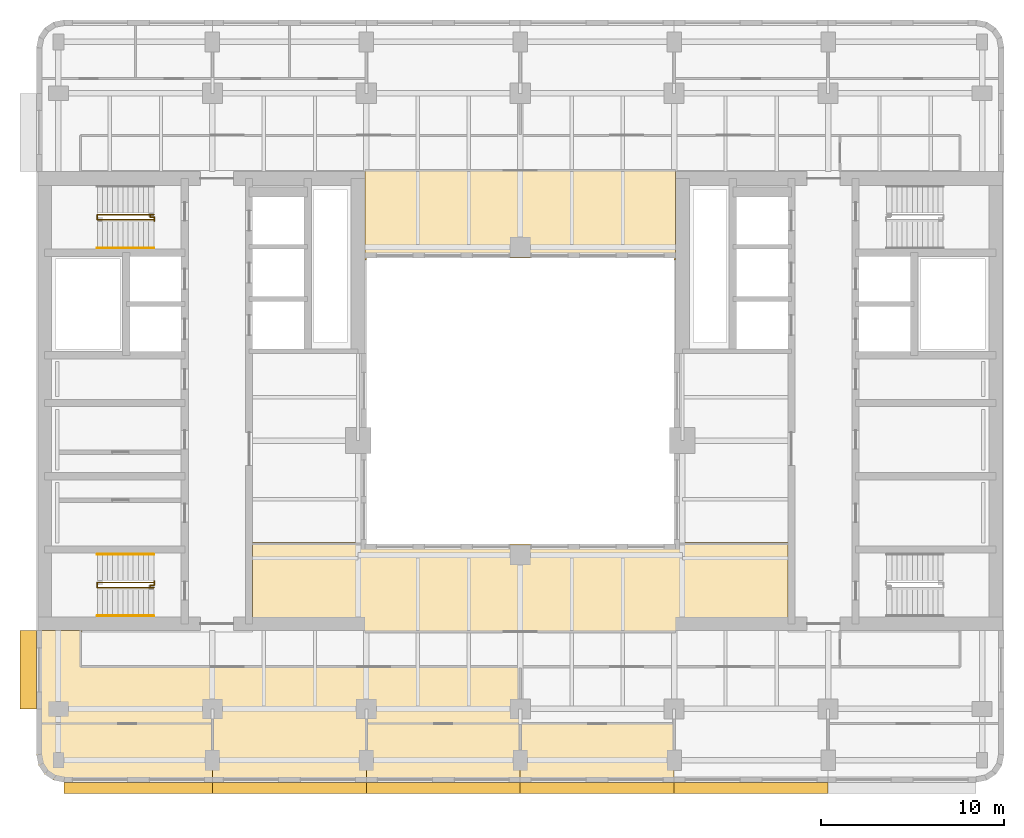
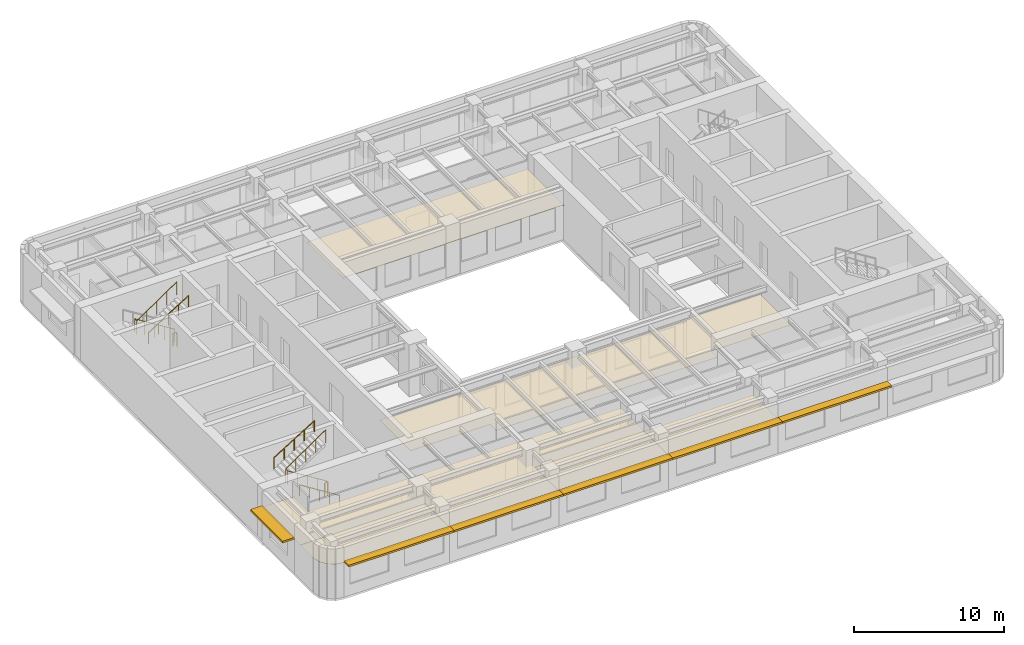
# One storey, part 9 of 11: 7 railings, 6 coverings, 6 shading devices.
"""IFC4 building model written with IfcOpenShell, lengths in metres."""

from ifc_helpers import new_model, si_unit, direction, frame, origin, origin_2d, place, context, subcontext, project, spatial, polyline, rectangle, circle, outline, extrude, material, layer, layer_set, type_object, element, save


model = new_model("IFC4")

# Units and contexts
model_context = context("Model", 3, precision=1e-05, world=origin(), true_north=direction((0.0, 1.0)))
body_context = subcontext(model_context, "Body", "Model", "MODEL_VIEW")
ifc_project = project(units=[si_unit("LENGTHUNIT", "METRE"), si_unit("AREAUNIT", "SQUARE_METRE"), si_unit("VOLUMEUNIT", "CUBIC_METRE"), si_unit("PLANEANGLEUNIT", "RADIAN"), si_unit("MASSUNIT", "GRAM", prefix="KILO")], contexts=[model_context])

# Site, building, storey
site_placement = place(None, origin())
site = spatial("IfcSite", under=ifc_project, at=site_placement, CompositionType="ELEMENT")
building_placement = place(site_placement, origin())
building = spatial("IfcBuilding", under=site, at=building_placement, Name="Claustro Exchange Tower", CompositionType="ELEMENT")
storey_placement = place(building_placement, frame((0.0, 0.0, 190.199951171875)))
storey = spatial("IfcBuildingStorey", under=building, at=storey_placement, Name="L43", CompositionType="ELEMENT", Elevation=190.199951171875)

# Coverings
ifc_material_1 = material(Name="Perforated metal ceiling tiles", Category="steel")
ifc_layer_1 = layer(ifc_material_1, 0.030029296875)
ifc_layer_set_1 = layer_set([ifc_layer_1], Name="Perforated metal ceiling tiles")
covering_type_1 = type_object("IfcCoveringType", Name="CL1 suspended metal ceiling", PredefinedType="CEILING", material=ifc_layer_set_1)
covering_1_placement = place(storey_placement, frame((0.0, 0.0, 2.800048828125)))
element("IfcCovering", 1, at=covering_1_placement, inside=storey, type_object=covering_type_1, Name="Ceiling CL1 L43-05", PredefinedType="CEILING", context=body_context, shape_type="SweptSolid", body=[
    extrude(outline(polyline([(1.199951171875, 10.699951171875), (1.199951171875, 12.60009765625), (1.294921875, 12.60009765625), (1.294921875, 12.675048828125), (-1.125, 12.675048828125), (-1.125, 12.695068359375), (-1.199951171875, 12.695068359375), (-1.199951171875, 7.60009765625), (8.39990234375, 7.60009765625), (8.39990234375, 4.39990234375), (16.800048828125, 4.39990234375), (16.800048828125, 7.60009765625), (25.199951171875, 7.60009765625), (25.199951171875, 10.699951171875), (1.199951171875, 10.699951171875)])), origin(), (0.0, 0.0, 1.0), 0.030029296875),
])
ifc_material_2 = material(Name="Gypsum board ceiling", Category="gypsum board")
ifc_layer_2 = layer(ifc_material_2, 0.02490234375)
ifc_layer_set_2 = layer_set([ifc_layer_2], Name="Gypsum board ceiling")
covering_type_2 = type_object("IfcCoveringType", Name="CL2 plasterboard ceiling", PredefinedType="CEILING", material=ifc_layer_set_2)
covering_2_placement = place(storey_placement, frame((0.0, 0.0, 2.800048828125)))
element("IfcCovering", 2, at=covering_2_placement, inside=storey, type_object=covering_type_2, Name="Ceiling CL2 L43-01", PredefinedType="CEILING", context=body_context, shape_type="SweptSolid", body=[
    extrude(outline(polyline([(-1.085693359375, 5.325927734375), (-0.7607421875, 4.83935546875), (-0.27392578125, 4.51416015625), (0.300048828125, 4.39990234375), (8.39990234375, 4.39990234375), (8.39990234375, 7.60009765625), (-1.199951171875, 7.60009765625), (-1.199951171875, 5.89990234375), (-1.085693359375, 5.325927734375)])), origin(), (0.0, 0.0, 1.0), 0.02490234375),
])
covering_3_placement = place(storey_placement, frame((0.0, 0.0, 2.800048828125)))
element("IfcCovering", 3, at=covering_3_placement, inside=storey, type_object=covering_type_2, Name="Ceiling CL2 L43-02", PredefinedType="CEILING", context=body_context, shape_type="SweptSolid", body=[
    extrude(outline(polyline([(16.800048828125, 4.39990234375), (25.199951171875, 4.39990234375), (25.199951171875, 7.60009765625), (16.800048828125, 7.60009765625), (16.800048828125, 4.39990234375)])), origin(), (0.0, 0.0, 1.0), 0.02490234375),
])
covering_4_placement = place(storey_placement, frame((0.0, 0.0, 2.800048828125)))
element("IfcCovering", 4, at=covering_4_placement, inside=storey, type_object=covering_type_2, Name="Ceiling CL2 L43-03", PredefinedType="CEILING", context=body_context, shape_type="SweptSolid", body=[
    extrude(outline(polyline([(25.199951171875, 4.39990234375), (33.60009765625, 4.39990234375), (33.60009765625, 7.60009765625), (25.199951171875, 7.60009765625), (25.199951171875, 4.39990234375)])), origin(), (0.0, 0.0, 1.0), 0.02490234375),
])
covering_5_placement = place(storey_placement, frame((0.0, 0.0, 2.800048828125)))
element("IfcCovering", 5, at=covering_5_placement, inside=storey, type_object=covering_type_2, Name="Ceiling CL2 L43-09", PredefinedType="CEILING", context=body_context, shape_type="SweptSolid", body=[
    extrude(outline(polyline([(33.60009765625, 17.39990234375), (16.800048828125, 17.39990234375), (16.800048828125, 17.4951171875), (10.60009765625, 17.4951171875), (10.60009765625, 13.405029296875), (16.705078125, 13.405029296875), (16.705078125, 12.60009765625), (33.695068359375, 12.60009765625), (33.695068359375, 13.405029296875), (39.800048828125, 13.405029296875), (39.800048828125, 17.4951171875), (33.60009765625, 17.4951171875), (33.60009765625, 17.39990234375)])), origin(), (0.0, 0.0, 1.0), 0.02490234375),
])
covering_6_placement = place(storey_placement, frame((0.0, 0.0, 2.800048828125)))
element("IfcCovering", 6, at=covering_6_placement, inside=storey, type_object=covering_type_2, Name="Ceiling CL2 L43-12", PredefinedType="CEILING", context=body_context, shape_type="SweptSolid", body=[
    extrude(outline(polyline([(16.72509765625, 37.72509765625), (16.72509765625, 32.905029296875), (16.800048828125, 32.905029296875), (16.800048828125, 33.0), (33.60009765625, 33.0), (33.60009765625, 32.905029296875), (33.675048828125, 32.905029296875), (33.675048828125, 37.72509765625), (33.695068359375, 37.72509765625), (33.695068359375, 37.800048828125), (16.705078125, 37.800048828125), (16.705078125, 37.72509765625), (16.72509765625, 37.72509765625)])), origin(), (0.0, 0.0, 1.0), 0.02490234375),
])

# Railings
ifc_material_3 = material(Name="Steel balustrade, painted", Category="steel")
railing_type_1 = type_object("IfcRailingType", Name="GR2 1100 steel stair guard", PredefinedType="GUARDRAIL", material=ifc_material_3)
railing_1_placement = place(storey_placement, frame((5.199951171875, 15.02490234375, 0.175048828125)))
element("IfcRailing", 7, at=railing_1_placement, inside=storey, type_object=railing_type_1, Name="Stair well guard GR2 stair STWA L43", PredefinedType="GUARDRAIL", context=body_context, shape_type="SweptSolid", body=[
    extrude(circle(Radius=0.02392578125, at=origin_2d()), frame((0.0, 0.0, 1.076171875), z_axis=(-0.847979421464, 0.0, 0.530029150871), x_axis=(0.0, -1.0, 0.0)), (0.0, 0.0, 1.0), 3.632080078125),
    extrude(circle(Radius=0.02392578125, at=origin_2d()), frame((-3.079833984375, 0.0, 3.0009765625), z_axis=(0.0, 1.0, 0.0), x_axis=(-1.0, 0.0, 0.0)), (0.0, 0.0, 1.0), 0.275146484375),
    extrude(circle(Radius=0.02392578125, at=origin_2d()), frame((-3.079833984375, 0.275146484375, 3.0009765625), z_axis=(0.826231499792, 0.0, 0.563330727682), x_axis=(0.0, 1.0, 0.0)), (0.0, 0.0, 1.0), 3.7275390625),
    extrude(circle(Radius=0.02099609375, at=origin_2d()), origin(), (0.0, 0.0, 1.0), 1.052001953125),
    extrude(circle(Radius=0.02099609375, at=origin_2d()), frame((-0.77001953125, 0.0, 0.481201171875)), (0.0, 0.0, 1.0), 1.052001953125),
    extrude(circle(Radius=0.02099609375, at=origin_2d()), frame((-1.5400390625, 0.0, 0.96240234375)), (0.0, 0.0, 1.0), 1.052001953125),
    extrude(circle(Radius=0.02099609375, at=origin_2d()), frame((-2.309814453125, 0.0, 1.44384765625)), (0.0, 0.0, 1.0), 1.052001953125),
    extrude(circle(Radius=0.02099609375, at=origin_2d()), frame((-3.079833984375, 0.0, 1.925048828125)), (0.0, 0.0, 1.0), 1.052001953125),
    extrude(circle(Radius=0.02099609375, at=origin_2d()), frame((-3.079833984375, 0.275146484375, 1.925048828125)), (0.0, 0.0, 1.0), 1.052001953125),
    extrude(circle(Radius=0.02099609375, at=origin_2d()), frame((-2.309814453125, 0.275146484375, 2.449951171875)), (0.0, 0.0, 1.0), 1.052001953125),
    extrude(circle(Radius=0.02099609375, at=origin_2d()), frame((-1.5400390625, 0.275146484375, 2.97509765625)), (0.0, 0.0, 1.0), 1.052001953125),
    extrude(circle(Radius=0.02099609375, at=origin_2d()), frame((-0.77001953125, 0.275146484375, 3.5)), (0.0, 0.0, 1.0), 1.052001953125),
    extrude(circle(Radius=0.02099609375, at=origin_2d()), frame((0.0, 0.275146484375, 4.02490234375)), (0.0, 0.0, 1.0), 1.052001953125),
])
railing_2_placement = place(storey_placement, frame((5.0, 15.094970703125, 0.0)))
element("IfcRailing", 8, at=railing_2_placement, inside=storey, type_object=railing_type_1, Name="Stair guard GR2 STWA L43", PredefinedType="GUARDRAIL", context=body_context, shape_type="SweptSolid", body=[
    extrude(circle(Radius=0.02392578125, at=origin_2d()), frame((0.0, 0.0, 1.076171875), z_axis=(0.0, 1.0, 0.0), x_axis=(-1.0, 0.0, 0.0)), (0.0, 0.0, 1.0), 0.067626953125),
    extrude(circle(Radius=0.02392578125, at=origin_2d()), frame((0.0, 0.067626953125, 1.076171875), z_axis=(1.0, 0.0, 0.0), x_axis=(0.0, 1.0, 0.0)), (0.0, 0.0, 1.0), 0.22509765625),
    extrude(circle(Radius=0.02392578125, at=origin_2d()), frame((0.22509765625, 0.067626953125, 1.076171875), z_axis=(0.0, 1.0, 0.0), x_axis=(-1.0, 0.0, 0.0)), (0.0, 0.0, 1.0), 0.21728515625),
    extrude(circle(Radius=0.02099609375, at=origin_2d()), origin(), (0.0, 0.0, 1.0), 1.052001953125),
    extrude(circle(Radius=0.02099609375, at=origin_2d()), frame((0.0, 0.067626953125, 0.0)), (0.0, 0.0, 1.0), 1.052001953125),
    extrude(circle(Radius=0.02099609375, at=origin_2d()), frame((0.22509765625, 0.067626953125, 0.0)), (0.0, 0.0, 1.0), 1.052001953125),
    extrude(circle(Radius=0.02099609375, at=origin_2d()), frame((0.22509765625, 0.284912109375, 0.0)), (0.0, 0.0, 1.0), 1.052001953125),
])
railing_3_placement = place(storey_placement, frame((5.199951171875, 35.375, 0.175048828125)))
element("IfcRailing", 9, at=railing_3_placement, inside=storey, type_object=railing_type_1, Name="Stair well guard GR2 stair STWB L43", PredefinedType="GUARDRAIL", context=body_context, shape_type="SweptSolid", body=[
    extrude(circle(Radius=0.02392578125, at=origin_2d()), frame((0.0, 0.0, 1.076171875), z_axis=(-0.847979421464, 0.0, 0.530029150871), x_axis=(0.0, -1.0, 0.0)), (0.0, 0.0, 1.0), 3.632080078125),
    extrude(circle(Radius=0.02392578125, at=origin_2d()), frame((-3.079833984375, 0.0, 3.0009765625), z_axis=(0.0, -1.0, 0.0), x_axis=(1.0, 0.0, 0.0)), (0.0, 0.0, 1.0), 0.27490234375),
    extrude(circle(Radius=0.02392578125, at=origin_2d()), frame((-3.079833984375, -0.27490234375, 3.0009765625), z_axis=(0.826231499792, 0.0, 0.563330727682), x_axis=(0.0, 1.0, 0.0)), (0.0, 0.0, 1.0), 3.7275390625),
    extrude(circle(Radius=0.02099609375, at=origin_2d()), origin(), (0.0, 0.0, 1.0), 1.052001953125),
    extrude(circle(Radius=0.02099609375, at=origin_2d()), frame((-0.77001953125, 0.0, 0.481201171875)), (0.0, 0.0, 1.0), 1.052001953125),
    extrude(circle(Radius=0.02099609375, at=origin_2d()), frame((-1.5400390625, 0.0, 0.96240234375)), (0.0, 0.0, 1.0), 1.052001953125),
    extrude(circle(Radius=0.02099609375, at=origin_2d()), frame((-2.309814453125, 0.0, 1.44384765625)), (0.0, 0.0, 1.0), 1.052001953125),
    extrude(circle(Radius=0.02099609375, at=origin_2d()), frame((-3.079833984375, 0.0, 1.925048828125)), (0.0, 0.0, 1.0), 1.052001953125),
    extrude(circle(Radius=0.02099609375, at=origin_2d()), frame((-3.079833984375, -0.27490234375, 1.925048828125)), (0.0, 0.0, 1.0), 1.052001953125),
    extrude(circle(Radius=0.02099609375, at=origin_2d()), frame((-2.309814453125, -0.27490234375, 2.449951171875)), (0.0, 0.0, 1.0), 1.052001953125),
    extrude(circle(Radius=0.02099609375, at=origin_2d()), frame((-1.5400390625, -0.27490234375, 2.97509765625)), (0.0, 0.0, 1.0), 1.052001953125),
    extrude(circle(Radius=0.02099609375, at=origin_2d()), frame((-0.77001953125, -0.27490234375, 3.5)), (0.0, 0.0, 1.0), 1.052001953125),
    extrude(circle(Radius=0.02099609375, at=origin_2d()), frame((0.0, -0.27490234375, 4.02490234375)), (0.0, 0.0, 1.0), 1.052001953125),
])
railing_4_placement = place(storey_placement, frame((5.0, 35.304931640625, 0.0)))
element("IfcRailing", 10, at=railing_4_placement, inside=storey, type_object=railing_type_1, Name="Stair guard GR2 STWB L43", PredefinedType="GUARDRAIL", context=body_context, shape_type="SweptSolid", body=[
    extrude(circle(Radius=0.02392578125, at=origin_2d()), frame((0.0, 0.0, 1.076171875), z_axis=(0.0, -1.0, 0.0), x_axis=(1.0, 0.0, 0.0)), (0.0, 0.0, 1.0), 0.0673828125),
    extrude(circle(Radius=0.02392578125, at=origin_2d()), frame((0.0, -0.0673828125, 1.076171875), z_axis=(1.0, 0.0, 0.0), x_axis=(0.0, 1.0, 0.0)), (0.0, 0.0, 1.0), 0.22509765625),
    extrude(circle(Radius=0.02392578125, at=origin_2d()), frame((0.22509765625, -0.0673828125, 1.076171875), z_axis=(0.0, -1.0, 0.0), x_axis=(1.0, 0.0, 0.0)), (0.0, 0.0, 1.0), 0.217529296875),
    extrude(circle(Radius=0.02099609375, at=origin_2d()), origin(), (0.0, 0.0, 1.0), 1.052001953125),
    extrude(circle(Radius=0.02099609375, at=origin_2d()), frame((0.0, -0.0673828125, 0.0)), (0.0, 0.0, 1.0), 1.052001953125),
    extrude(circle(Radius=0.02099609375, at=origin_2d()), frame((0.22509765625, -0.0673828125, 0.0)), (0.0, 0.0, 1.0), 1.052001953125),
    extrude(circle(Radius=0.02099609375, at=origin_2d()), frame((0.22509765625, -0.284912109375, 0.0)), (0.0, 0.0, 1.0), 1.052001953125),
])
ifc_material_4 = material(Name="Stainless steel tube", Category="steel")
railing_type_2 = type_object("IfcRailingType", Name="HR1 900 stair handrail", PredefinedType="HANDRAIL", material=ifc_material_4)
railing_5_placement = place(storey_placement, frame((5.199951171875, 13.485107421875, 0.175048828125)))
element("IfcRailing", 11, at=railing_5_placement, inside=storey, type_object=railing_type_2, Name="Handrail HR1 stair STWA L43", PredefinedType="HANDRAIL", context=body_context, shape_type="SweptSolid", body=[
    extrude(circle(Radius=0.02392578125, at=origin_2d()), frame((0.0, 0.0, 0.8759765625), z_axis=(-0.847979421464, 0.0, 0.530029150871), x_axis=(0.0, -1.0, 0.0)), (0.0, 0.0, 1.0), 3.632080078125),
    extrude(circle(Radius=0.02099609375, at=origin_2d()), origin(), (0.0, 0.0, 1.0), 0.851806640625),
    extrude(circle(Radius=0.02099609375, at=origin_2d()), frame((-0.77001953125, 0.0, 0.481201171875)), (0.0, 0.0, 1.0), 0.851806640625),
    extrude(circle(Radius=0.02099609375, at=origin_2d()), frame((-1.5400390625, 0.0, 0.96240234375)), (0.0, 0.0, 1.0), 0.851806640625),
    extrude(circle(Radius=0.02099609375, at=origin_2d()), frame((-2.309814453125, 0.0, 1.44384765625)), (0.0, 0.0, 1.0), 0.851806640625),
    extrude(circle(Radius=0.02099609375, at=origin_2d()), frame((-3.079833984375, 0.0, 1.925048828125)), (0.0, 0.0, 1.0), 0.851806640625),
])
for number, where, name in (
    (12, (2.1201171875, 16.840087890625, 2.275146484375), "Handrail HR1 stair STWA L43"),
    (13, (2.1201171875, 33.56005859375, 2.275146484375), "Handrail HR1 stair STWB L43"),
):
    element("IfcRailing", number, at=place(storey_placement, frame(where)), inside=storey, type_object=railing_type_2, Name=name, PredefinedType="HANDRAIL", context=body_context, shape_type="SweptSolid", body=[
        extrude(circle(Radius=0.02392578125, at=origin_2d()), frame((0.0, 0.0, 0.8759765625), z_axis=(0.848009633417, 0.0, 0.529980812513), x_axis=(0.0, 1.0, 0.0)), (0.0, 0.0, 1.0), 3.6318359375),
        extrude(circle(Radius=0.02099609375, at=origin_2d()), origin(), (0.0, 0.0, 1.0), 0.851806640625),
        extrude(circle(Radius=0.02099609375, at=origin_2d()), frame((0.77001953125, 0.0, 0.481201171875)), (0.0, 0.0, 1.0), 0.851806640625),
        extrude(circle(Radius=0.02099609375, at=origin_2d()), frame((1.5400390625, 0.0, 0.96240234375)), (0.0, 0.0, 1.0), 0.851806640625),
        extrude(circle(Radius=0.02099609375, at=origin_2d()), frame((2.309814453125, 0.0, 1.443603515625)), (0.0, 0.0, 1.0), 0.851806640625),
        extrude(circle(Radius=0.02099609375, at=origin_2d()), frame((3.079833984375, 0.0, 1.9248046875)), (0.0, 0.0, 1.0), 0.851806640625),
    ])

# Shading devices
ifc_material_5 = material(Name="Concrete HA-40 (C40/50), precast, white cement, acid-etched", Category="concrete")
ifc_layer_3 = layer(ifc_material_5, 0.14990234375)
ifc_layer_set_3 = layer_set([ifc_layer_3], Name="Concrete HA-40 (C40/50), precast, white cement, acid-etched")
shading_device_type_1 = type_object("IfcShadingDeviceType", Name="SS1 600 precast concrete SUNSHADE", PredefinedType="SHUTTER", material=ifc_layer_set_3)
for number, where, z_axis, x_axis, name in (
    (14, (37.800048828125, 4.10009765625, 2.800048828125), (0.0, 0.0, 1.0), (-1.0, 0.0, 0.0), "Precast SUNSHADE SS1 L43"),
    (15, (29.39990234375, 4.10009765625, 2.800048828125), (0.0, 0.0, 1.0), (-1.0, 0.0, 0.0), "Precast SUNSHADE SS1 L43"),
    (16, (21.0, 4.10009765625, 2.800048828125), (0.0, 0.0, 1.0), (-1.0, 0.0, 0.0), "Precast SUNSHADE SS1 L43"),
    (17, (12.60009765625, 4.10009765625, 2.800048828125), (0.0, 0.0, 1.0), (-1.0, 0.0, 0.0), "Precast SUNSHADE SS1 L43"),
):
    element("IfcShadingDevice", number, at=place(storey_placement, frame(where, z_axis=z_axis, x_axis=x_axis)), inside=storey, type_object=shading_device_type_1, Name=name, PredefinedType="SHUTTER", context=body_context, shape_type="SweptSolid", body=[
        extrude(rectangle(XDim=8.39990234375, YDim=0.60009765625, at=origin_2d()), origin(), (0.0, 0.0, 1.0), 0.14990234375),
    ])
shading_device_1_placement = place(storey_placement, frame((4.357421875, 4.10009765625, 2.800048828125), z_axis=(0.0, 0.0, 1.0), x_axis=(-1.0, 0.0, 0.0)))
element("IfcShadingDevice", 18, at=shading_device_1_placement, inside=storey, type_object=shading_device_type_1, Name="Precast SUNSHADE SS1 L43", PredefinedType="SHUTTER", context=body_context, shape_type="SweptSolid", body=[
    extrude(rectangle(XDim=8.085205078125, YDim=0.60009765625, at=origin_2d()), origin(), (0.0, 0.0, 1.0), 0.14990234375),
])
ifc_material_6 = material(Name="Concrete HA-40 (C40/50), precast, white cement, acid-etched", Category="concrete")
ifc_layer_4 = layer(ifc_material_6, 0.14990234375)
ifc_layer_set_4 = layer_set([ifc_layer_4], Name="Concrete HA-40 (C40/50), precast, white cement, acid-etched")
shading_device_type_2 = type_object("IfcShadingDeviceType", Name="SS2 900 precast concrete SUNSHADE", PredefinedType="SHUTTER", material=ifc_layer_set_4)
shading_device_2_placement = place(storey_placement, frame((-1.64990234375, 10.53759765625, 2.800048828125), z_axis=(0.0, 0.0, 1.0), x_axis=(0.0, 1.0, 0.0)))
element("IfcShadingDevice", 19, at=shading_device_2_placement, inside=storey, type_object=shading_device_type_2, Name="Precast SUNSHADE SS2 L43", PredefinedType="SHUTTER", context=body_context, shape_type="SweptSolid", body=[
    extrude(rectangle(XDim=4.27490234375, YDim=0.89990234375, at=origin_2d()), origin(), (0.0, 0.0, 1.0), 0.14990234375),
])

save(model, "model.ifc")
